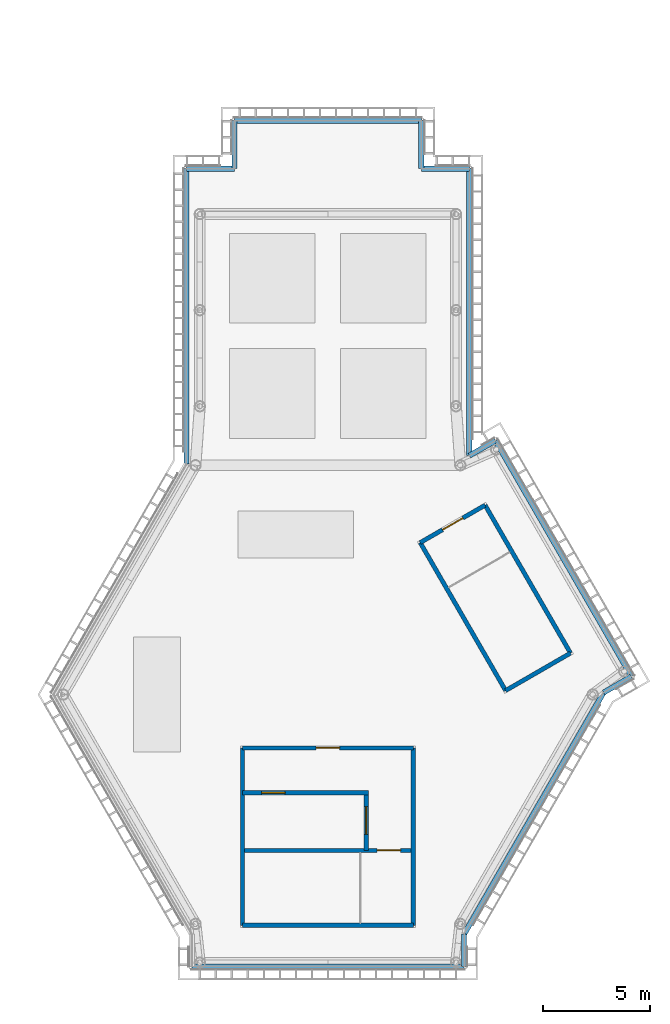
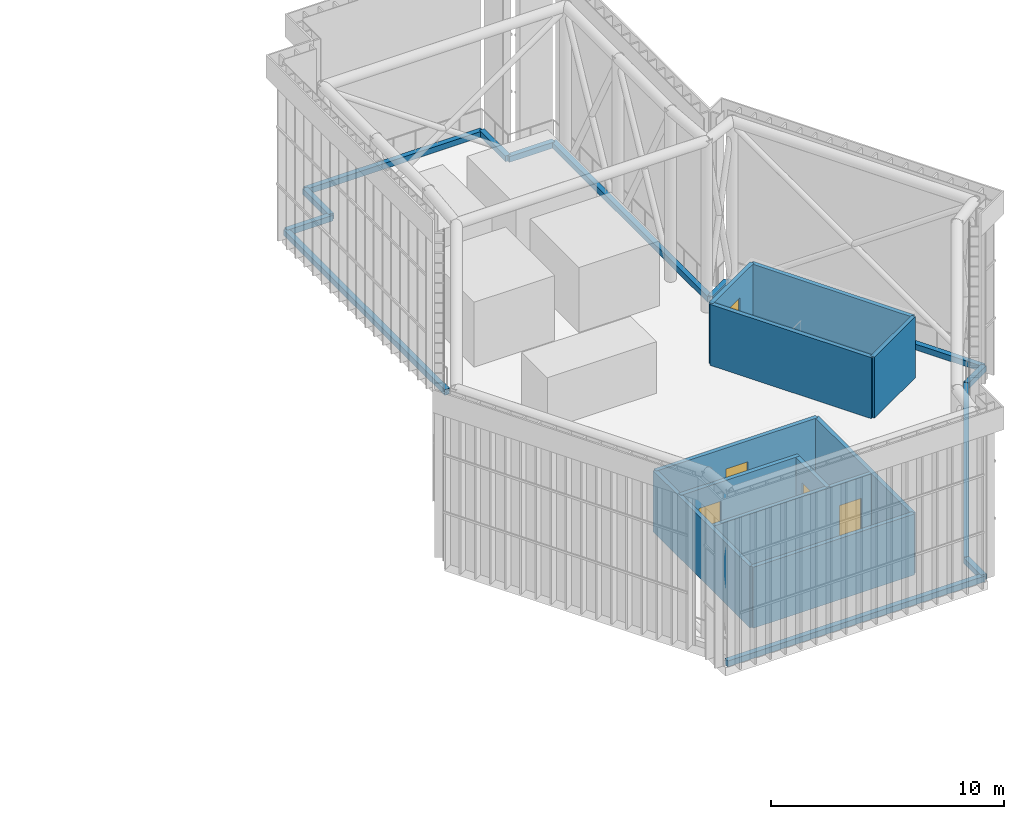
# One storey, part 9 of 17: 24 walls, 5 doors, 5 openings.
"""IFC4 building model written with IfcOpenShell, lengths in metres."""

from ifc_helpers import new_model, si_unit, direction, frame, frame_2d, origin, place, context, subcontext, project, spatial, rectangle, extrude, material, layer, layer_set, type_object, element, fill, save


model = new_model("IFC4")

# Units and contexts
model_context = context("Model", 3, precision=1e-05, world=origin(), true_north=direction((0.0, 1.0)))
body_context = subcontext(model_context, "Body", "Model", "MODEL_VIEW")
ifc_project = project(units=[si_unit("LENGTHUNIT", "METRE"), si_unit("AREAUNIT", "SQUARE_METRE"), si_unit("VOLUMEUNIT", "CUBIC_METRE"), si_unit("PLANEANGLEUNIT", "RADIAN"), si_unit("MASSUNIT", "GRAM", prefix="KILO")], contexts=[model_context])

# Site, building, storey
site_placement = place(None, origin())
site = spatial("IfcSite", under=ifc_project, at=site_placement, CompositionType="ELEMENT")
building_placement = place(site_placement, origin())
building = spatial("IfcBuilding", under=site, at=building_placement, Name="Upepo Twin Towers", CompositionType="ELEMENT")
storey_placement = place(building_placement, frame((0.0, 0.0, 296.5)))
storey = spatial("IfcBuildingStorey", under=building, at=storey_placement, Name="RF", CompositionType="ELEMENT", Elevation=296.5)

# Walls
ifc_material_1 = material(Name="Concrete C40/50", Category="concrete")
ifc_layer_1 = layer(ifc_material_1, 0.199951171875)
ifc_layer_set_1 = layer_set([ifc_layer_1], Name="Concrete C40/50")
wall_type_1 = type_object("IfcWallType", Name="Podium stair enclosure 200 RC", PredefinedType="SHEAR", material=ifc_layer_set_1)
wall_1_placement = place(storey_placement, frame((54.5, -20.5, 0.0), z_axis=(0.0, 0.0, 1.0), x_axis=(0.0, -1.0, 0.0)))
element("IfcWall", 1, at=wall_1_placement, inside=storey, type_object=wall_type_1, Name="T2 core head-house wall 1", PredefinedType="SHEAR", context=body_context, shape_type="SweptSolid", body=[
    extrude(rectangle(XDim=8.308349609375, YDim=0.199951171875, at=frame_2d((4.154296875, 0.0))), origin(), (0.0, 0.0, 1.0), 3.199951171875),
])
wall_2_placement = place(storey_placement, frame((54.5, -28.808349609375, 0.0), z_axis=(0.0, 0.0, 1.0), x_axis=(1.0, 0.0, 0.0)))
element("IfcWall", 2, at=wall_2_placement, inside=storey, type_object=wall_type_1, Name="T2 core head-house wall 2", PredefinedType="SHEAR", context=body_context, shape_type="SweptSolid", body=[
    extrude(rectangle(XDim=8.0, YDim=0.199951171875, at=frame_2d((4.0, 0.0))), origin(), (0.0, 0.0, 1.0), 3.199951171875),
])
wall_3_placement = place(storey_placement, frame((62.5, -28.808349609375, 0.0), z_axis=(0.0, 0.0, 1.0), x_axis=(0.0, 1.0, 0.0)))
element("IfcWall", 3, at=wall_3_placement, inside=storey, type_object=wall_type_1, Name="T2 core head-house wall 3", PredefinedType="SHEAR", context=body_context, shape_type="SweptSolid", body=[
    extrude(rectangle(XDim=8.308349609375, YDim=0.199951171875, at=frame_2d((4.154296875, 0.0))), origin(), (0.0, 0.0, 1.0), 3.199951171875),
])

# Wall, opening, door
wall_4_placement = place(storey_placement, frame((62.5, -20.5, 0.0), z_axis=(0.0, 0.0, 1.0), x_axis=(-1.0, 0.0, 0.0)))
wall_4 = element("IfcWall", 4, at=wall_4_placement, inside=storey, type_object=wall_type_1, Name="T2 core head-house wall 4", PredefinedType="SHEAR", context=body_context, shape_type="SweptSolid", body=[
    extrude(rectangle(XDim=8.0, YDim=0.199951171875, at=frame_2d((4.0, 0.0))), origin(), (0.0, 0.0, 1.0), 3.199951171875),
])
opening_1_placement = place(wall_4_placement, frame((3.449951171875, 0.0, 0.0)))
opening_1 = element("IfcOpeningElement", 5, at=opening_1_placement, cuts=wall_4, Name="Opening D3", PredefinedType="OPENING", context=body_context, shape_type="SweptSolid", body=[
    extrude(rectangle(XDim=1.10009765625, YDim=2.10009765625, at=frame_2d((0.550048828125, 1.050048828125))), frame((0.0, 0.10986328125, 0.0), z_axis=(0.0, -1.0, 0.0), x_axis=(1.0, 0.0, 0.0)), (0.0, 0.0, 1.0), 0.219970703125),
])
ifc_material_2 = material(Name="Timber doorset", Category="wood")
door_type_1 = type_object("IfcDoorType", Name="Stair door 1100 FD60", OperationType="SINGLE_SWING_LEFT", PredefinedType="DOOR", material=ifc_material_2)
door_1_placement = place(opening_1_placement, origin())
door_1 = element("IfcDoor", 6, at=door_1_placement, inside=storey, type_object=door_type_1, Name="T2 core head-house roof door", OperationType="SINGLE_SWING_LEFT", OverallHeight=2.10009765625, OverallWidth=1.10009765625, PredefinedType="DOOR", context=body_context, shape_type="SweptSolid", body=[
    extrude(rectangle(XDim=1.10009765625, YDim=2.10009765625, at=frame_2d((0.550048828125, 1.050048828125))), frame((0.0, 0.02490234375, 0.0), z_axis=(0.0, -1.0, 0.0), x_axis=(1.0, 0.0, 0.0)), (0.0, 0.0, 1.0), 0.050048828125),
])
fill(opening_1, door_1)

wall_5_placement = place(storey_placement, frame((54.5, -22.60009765625, 0.0), z_axis=(0.0, 0.0, 1.0), x_axis=(1.0, 0.0, 0.0)))
wall_5 = element("IfcWall", 7, at=wall_5_placement, inside=storey, type_object=wall_type_1, Name="T2 roof lift shaft front wall", PredefinedType="SHEAR", context=body_context, shape_type="SweptSolid", body=[
    extrude(rectangle(XDim=5.89990234375, YDim=0.199951171875, at=frame_2d((2.949951171875, 0.0))), origin(), (0.0, 0.0, 1.0), 3.199951171875),
])
opening_2_placement = place(wall_5_placement, frame((0.89990234375, 0.0, 0.0)))
opening_2 = element("IfcOpeningElement", 8, at=opening_2_placement, cuts=wall_5, Name="Opening LD1", PredefinedType="OPENING", context=body_context, shape_type="SweptSolid", body=[
    extrude(rectangle(XDim=1.10009765625, YDim=2.199951171875, at=frame_2d((0.550048828125, 1.10009765625))), frame((0.0, 0.10986328125, 0.0), z_axis=(0.0, -1.0, 0.0), x_axis=(1.0, 0.0, 0.0)), (0.0, 0.0, 1.0), 0.219970703125),
])
ifc_material_3 = material(Name="Steel doorset", Category="steel")
door_type_2 = type_object("IfcDoorType", Name="Lift landing door 1100", OperationType="DOUBLE_DOOR_SLIDING", PredefinedType="DOOR", material=ifc_material_3)
door_2_placement = place(opening_2_placement, origin())
door_2 = element("IfcDoor", 9, at=door_2_placement, inside=storey, type_object=door_type_2, Name="T2 RF lift SV1 landing door", OperationType="DOUBLE_DOOR_SLIDING", OverallHeight=2.199951171875, OverallWidth=1.10009765625, PredefinedType="DOOR", context=body_context, shape_type="SweptSolid", body=[
    extrude(rectangle(XDim=1.10009765625, YDim=2.199951171875, at=frame_2d((0.550048828125, 1.10009765625))), frame((0.0, 0.02490234375, 0.0), z_axis=(0.0, -1.0, 0.0), x_axis=(1.0, 0.0, 0.0)), (0.0, 0.0, 1.0), 0.050048828125),
])
fill(opening_2, door_2)

wall_6_placement = place(storey_placement, frame((60.300048828125, -22.699951171875, 0.0), z_axis=(0.0, 0.0, 1.0), x_axis=(0.0, -1.0, 0.0)))
wall_6 = element("IfcWall", 10, at=wall_6_placement, inside=storey, type_object=wall_type_1, Name="T2 roof lift lobby wall", PredefinedType="SHEAR", context=body_context, shape_type="SweptSolid", body=[
    extrude(rectangle(XDim=2.60009765625, YDim=0.199951171875, at=frame_2d((1.300048828125, 0.0))), origin(), (0.0, 0.0, 1.0), 3.199951171875),
])
opening_3_placement = place(wall_6_placement, frame((0.550048828125, 0.0, 0.0)))
opening_3 = element("IfcOpeningElement", 11, at=opening_3_placement, cuts=wall_6, Name="Opening LD2", PredefinedType="OPENING", context=body_context, shape_type="SweptSolid", body=[
    extrude(rectangle(XDim=1.300048828125, YDim=2.199951171875, at=frame_2d((0.64990234375, 1.10009765625))), frame((0.0, 0.10986328125, 0.0), z_axis=(0.0, -1.0, 0.0), x_axis=(1.0, 0.0, 0.0)), (0.0, 0.0, 1.0), 0.219970703125),
])
ifc_material_4 = material(Name="Steel doorset", Category="steel")
door_type_3 = type_object("IfcDoorType", Name="Firefighting lift landing door 1300", OperationType="DOUBLE_DOOR_SLIDING", PredefinedType="DOOR", material=ifc_material_4)
door_3_placement = place(opening_3_placement, origin())
door_3 = element("IfcDoor", 12, at=door_3_placement, inside=storey, type_object=door_type_3, Name="T2 RF firefighting lift landing door", OperationType="DOUBLE_DOOR_SLIDING", OverallHeight=2.199951171875, OverallWidth=1.300048828125, PredefinedType="DOOR", context=body_context, shape_type="SweptSolid", body=[
    extrude(rectangle(XDim=1.300048828125, YDim=2.199951171875, at=frame_2d((0.64990234375, 1.10009765625))), frame((0.0, 0.02490234375, 0.0), z_axis=(0.0, -1.0, 0.0), x_axis=(1.0, 0.0, 0.0)), (0.0, 0.0, 1.0), 0.050048828125),
])
fill(opening_3, door_3)

wall_7_placement = place(storey_placement, frame((54.60009765625, -25.300048828125, 0.0), z_axis=(0.0, 0.0, 1.0), x_axis=(1.0, 0.0, 0.0)))
wall_7 = element("IfcWall", 13, at=wall_7_placement, inside=storey, type_object=wall_type_1, Name="T2 roof stair wall", PredefinedType="SHEAR", context=body_context, shape_type="SweptSolid", body=[
    extrude(rectangle(XDim=7.7998046875, YDim=0.199951171875, at=frame_2d((3.89990234375, 0.0))), origin(), (0.0, 0.0, 1.0), 3.199951171875),
])
opening_4_placement = place(wall_7_placement, frame((6.199951171875, 0.0, 0.0)))
opening_4 = element("IfcOpeningElement", 14, at=opening_4_placement, cuts=wall_7, Name="Opening D3", PredefinedType="OPENING", context=body_context, shape_type="SweptSolid", body=[
    extrude(rectangle(XDim=1.10009765625, YDim=2.10009765625, at=frame_2d((0.550048828125, 1.050048828125))), frame((0.0, 0.10986328125, 0.0), z_axis=(0.0, -1.0, 0.0), x_axis=(1.0, 0.0, 0.0)), (0.0, 0.0, 1.0), 0.219970703125),
])
door_4_placement = place(opening_4_placement, origin())
door_4 = element("IfcDoor", 15, at=door_4_placement, inside=storey, type_object=door_type_1, Name="T2 RF stair S1 door", OperationType="SINGLE_SWING_RIGHT", OverallHeight=2.10009765625, OverallWidth=1.10009765625, PredefinedType="DOOR", context=body_context, shape_type="SweptSolid", body=[
    extrude(rectangle(XDim=1.10009765625, YDim=2.10009765625, at=frame_2d((0.550048828125, 1.050048828125))), frame((0.0, 0.02490234375, 0.0), z_axis=(0.0, -1.0, 0.0), x_axis=(1.0, 0.0, 0.0)), (0.0, 0.0, 1.0), 0.050048828125),
])
fill(opening_4, door_4)

# Walls
wall_8_placement = place(storey_placement, frame((66.822021484375, -17.814208984375, 0.0), z_axis=(0.0, 0.0, 1.0), x_axis=(0.865999010255, 0.500045712149, 0.0)))
element("IfcWall", 16, at=wall_8_placement, inside=storey, type_object=wall_type_1, Name="T2 stair S2 head-house wall 1", PredefinedType="SHEAR", context=body_context, shape_type="SweptSolid", body=[
    extrude(rectangle(XDim=3.508544921875, YDim=0.199951171875, at=frame_2d((1.75439453125, 0.0))), origin(), (0.0, 0.0, 1.0), 3.199951171875),
])
wall_9_placement = place(storey_placement, frame((69.8603515625, -16.059814453125, 0.0), z_axis=(0.0, 0.0, 1.0), x_axis=(-0.500012163284, 0.866018381195, 0.0)))
element("IfcWall", 17, at=wall_9_placement, inside=storey, type_object=wall_type_1, Name="T2 stair S2 head-house wall 2", PredefinedType="SHEAR", context=body_context, shape_type="SweptSolid", body=[
    extrude(rectangle(XDim=7.999755859375, YDim=0.199951171875, at=frame_2d((4.0, 0.0))), origin(), (0.0, 0.0, 1.0), 3.199951171875),
])

# Wall, opening, door
wall_10_placement = place(storey_placement, frame((65.8603515625, -9.1318359375, 0.0), z_axis=(0.0, 0.0, 1.0), x_axis=(-0.866029143232, -0.499993523031, 0.0)))
wall_10 = element("IfcWall", 18, at=wall_10_placement, inside=storey, type_object=wall_type_1, Name="T2 stair S2 head-house wall 3", PredefinedType="SHEAR", context=body_context, shape_type="SweptSolid", body=[
    extrude(rectangle(XDim=3.50830078125, YDim=0.199951171875, at=frame_2d((1.754150390625, 0.0))), origin(), (0.0, 0.0, 1.0), 3.199951171875),
])
opening_5_placement = place(wall_10_placement, frame((1.2041015625, 0.0, 0.0)))
opening_5 = element("IfcOpeningElement", 19, at=opening_5_placement, cuts=wall_10, Name="Opening D3", PredefinedType="OPENING", context=body_context, shape_type="SweptSolid", body=[
    extrude(rectangle(XDim=1.10009765625, YDim=2.10009765625, at=frame_2d((0.550048828125, 1.050048828125))), frame((0.0, 0.10986328125, 0.0), z_axis=(0.0, -1.0, 0.0), x_axis=(1.0, 0.0, 0.0)), (0.0, 0.0, 1.0), 0.219970703125),
])
door_5_placement = place(opening_5_placement, origin())
door_5 = element("IfcDoor", 20, at=door_5_placement, inside=storey, type_object=door_type_1, Name="T2 stair S2 roof door", OperationType="SINGLE_SWING_RIGHT", OverallHeight=2.10009765625, OverallWidth=1.10009765625, PredefinedType="DOOR", context=body_context, shape_type="SweptSolid", body=[
    extrude(rectangle(XDim=1.10009765625, YDim=2.10009765625, at=frame_2d((0.550048828125, 1.050048828125))), frame((0.0, 0.02490234375, 0.0), z_axis=(0.0, -1.0, 0.0), x_axis=(1.0, 0.0, 0.0)), (0.0, 0.0, 1.0), 0.050048828125),
])
fill(opening_5, door_5)

# Walls
wall_11_placement = place(storey_placement, frame((62.822021484375, -10.885986328125, 0.0), z_axis=(0.0, 0.0, 1.0), x_axis=(0.49999894854, -0.866026010844, 0.0)))
element("IfcWall", 21, at=wall_11_placement, inside=storey, type_object=wall_type_1, Name="T2 stair S2 head-house wall 4", PredefinedType="SHEAR", context=body_context, shape_type="SweptSolid", body=[
    extrude(rectangle(XDim=8.0, YDim=0.199951171875, at=frame_2d((4.0, 0.0))), origin(), (0.0, 0.0, 1.0), 3.199951171875),
])
ifc_material_5 = material(Name="Concrete C40/50", Category="concrete")
ifc_layer_2 = layer(ifc_material_5, 0.25)
ifc_layer_set_2 = layer_set([ifc_layer_2], Name="Concrete C40/50")
wall_type_2 = type_object("IfcWallType", Name="Roof parapet 250 RC", PredefinedType="PARAPET", material=ifc_layer_set_2)
wall_12_placement = place(storey_placement, frame((66.33984375, -6.1123046875, 0.0), z_axis=(0.0, 0.0, 1.0), x_axis=(0.499994284652, -0.866028703517, 0.0)))
element("IfcWall", 22, at=wall_12_placement, inside=storey, type_object=wall_type_2, Name="T2 roof parapet 1", PredefinedType="PARAPET", context=body_context, shape_type="SweptSolid", body=[
    extrude(rectangle(XDim=12.750244140625, YDim=0.25, at=frame_2d((6.375, 0.0))), origin(), (0.0, 0.0, 1.0), 0.300048828125),
])
wall_13_placement = place(storey_placement, frame((72.71484375, -17.154296875, 0.0), z_axis=(0.0, 0.0, 1.0), x_axis=(-0.866053525905, -0.499951287894, 0.0)))
element("IfcWall", 23, at=wall_13_placement, inside=storey, type_object=wall_type_2, Name="T2 roof parapet 2", PredefinedType="PARAPET", context=body_context, shape_type="SweptSolid", body=[
    extrude(rectangle(XDim=1.508544921875, YDim=0.25, at=frame_2d((0.75439453125, 0.0))), origin(), (0.0, 0.0, 1.0), 0.300048828125),
])
wall_14_placement = place(storey_placement, frame((71.408447265625, -17.908447265625, 0.0), z_axis=(0.0, 0.0, 1.0), x_axis=(-0.499995240161, -0.866028151861, 0.0)))
element("IfcWall", 24, at=wall_14_placement, inside=storey, type_object=wall_type_2, Name="T2 roof parapet 3", PredefinedType="PARAPET", context=body_context, shape_type="SweptSolid", body=[
    extrude(rectangle(XDim=13.067138671875, YDim=0.25, at=frame_2d((6.53369140625, 0.0))), origin(), (0.0, 0.0, 1.0), 0.300048828125),
])
wall_15_placement = place(storey_placement, frame((64.875, -29.224853515625, 0.0), z_axis=(0.0, 0.0, 1.0), x_axis=(0.0, -1.0, 0.0)))
element("IfcWall", 25, at=wall_15_placement, inside=storey, type_object=wall_type_2, Name="T2 roof parapet 4", PredefinedType="PARAPET", context=body_context, shape_type="SweptSolid", body=[
    extrude(rectangle(XDim=1.508544921875, YDim=0.25, at=frame_2d((0.75439453125, 0.0))), origin(), (0.0, 0.0, 1.0), 0.300048828125),
])
wall_16_placement = place(storey_placement, frame((64.875, -30.7333984375, 0.0), z_axis=(0.0, 0.0, 1.0), x_axis=(-1.0, 0.0, 0.0)))
element("IfcWall", 26, at=wall_16_placement, inside=storey, type_object=wall_type_2, Name="T2 roof parapet 5", PredefinedType="PARAPET", context=body_context, shape_type="SweptSolid", body=[
    extrude(rectangle(XDim=12.75, YDim=0.25, at=frame_2d((6.375, 0.0))), origin(), (0.0, 0.0, 1.0), 0.300048828125),
])
wall_17_placement = place(storey_placement, frame((51.875, -7.208251953125, 0.0), z_axis=(0.0, 0.0, 1.0), x_axis=(0.0, 1.0, 0.0)))
element("IfcWall", 27, at=wall_17_placement, inside=storey, type_object=wall_type_2, Name="T2 roof parapet 9", PredefinedType="PARAPET", context=body_context, shape_type="SweptSolid", body=[
    extrude(rectangle(XDim=13.833251953125, YDim=0.25, at=frame_2d((6.91650390625, 0.0))), origin(), (0.0, 0.0, 1.0), 0.300048828125),
])
for number, where, z_axis, x_axis, name in (
    (28, (51.875, 6.625, 0.0), (0.0, 0.0, 1.0), (1.0, 0.0, 0.0), "T2 roof parapet 10"),
    (29, (54.125, 6.625, 0.0), (0.0, 0.0, 1.0), (0.0, 1.0, 0.0), "T2 roof parapet 11"),
):
    element("IfcWall", number, at=place(storey_placement, frame(where, z_axis=z_axis, x_axis=x_axis)), inside=storey, type_object=wall_type_2, Name=name, PredefinedType="PARAPET", context=body_context, shape_type="SweptSolid", body=[
        extrude(rectangle(XDim=2.25, YDim=0.25, at=frame_2d((1.125, 0.0))), origin(), (0.0, 0.0, 1.0), 0.300048828125),
    ])
wall_18_placement = place(storey_placement, frame((54.125, 8.875, 0.0), z_axis=(0.0, 0.0, 1.0), x_axis=(1.0, 0.0, 0.0)))
element("IfcWall", 30, at=wall_18_placement, inside=storey, type_object=wall_type_2, Name="T2 roof parapet 12", PredefinedType="PARAPET", context=body_context, shape_type="SweptSolid", body=[
    extrude(rectangle(XDim=8.75, YDim=0.25, at=frame_2d((4.375, 0.0))), origin(), (0.0, 0.0, 1.0), 0.300048828125),
])
for number, where, z_axis, x_axis, name in (
    (31, (62.875, 8.875, 0.0), (0.0, 0.0, 1.0), (0.0, -1.0, 0.0), "T2 roof parapet 13"),
    (32, (62.875, 6.625, 0.0), (0.0, 0.0, 1.0), (1.0, 0.0, 0.0), "T2 roof parapet 14"),
):
    element("IfcWall", number, at=place(storey_placement, frame(where, z_axis=z_axis, x_axis=x_axis)), inside=storey, type_object=wall_type_2, Name=name, PredefinedType="PARAPET", context=body_context, shape_type="SweptSolid", body=[
        extrude(rectangle(XDim=2.25, YDim=0.25, at=frame_2d((1.125, 0.0))), origin(), (0.0, 0.0, 1.0), 0.300048828125),
    ])
wall_19_placement = place(storey_placement, frame((65.125, 6.625, 0.0), z_axis=(0.0, 0.0, 1.0), x_axis=(0.0, -1.0, 0.0)))
element("IfcWall", 33, at=wall_19_placement, inside=storey, type_object=wall_type_2, Name="T2 roof parapet 15", PredefinedType="PARAPET", context=body_context, shape_type="SweptSolid", body=[
    extrude(rectangle(XDim=13.438720703125, YDim=0.25, at=frame_2d((6.71923828125, 0.0))), origin(), (0.0, 0.0, 1.0), 0.300048828125),
])
wall_20_placement = place(storey_placement, frame((65.125, -6.813720703125, 0.0), z_axis=(0.0, 0.0, 1.0), x_axis=(0.866017486206, 0.500013713398, 0.0)))
element("IfcWall", 34, at=wall_20_placement, inside=storey, type_object=wall_type_2, Name="T2 roof parapet 16", PredefinedType="PARAPET", context=body_context, shape_type="SweptSolid", body=[
    extrude(rectangle(XDim=1.40283203125, YDim=0.25, at=frame_2d((0.701416015625, 0.0))), origin(), (0.0, 0.0, 1.0), 0.300048828125),
])

save(model, "model.ifc")
